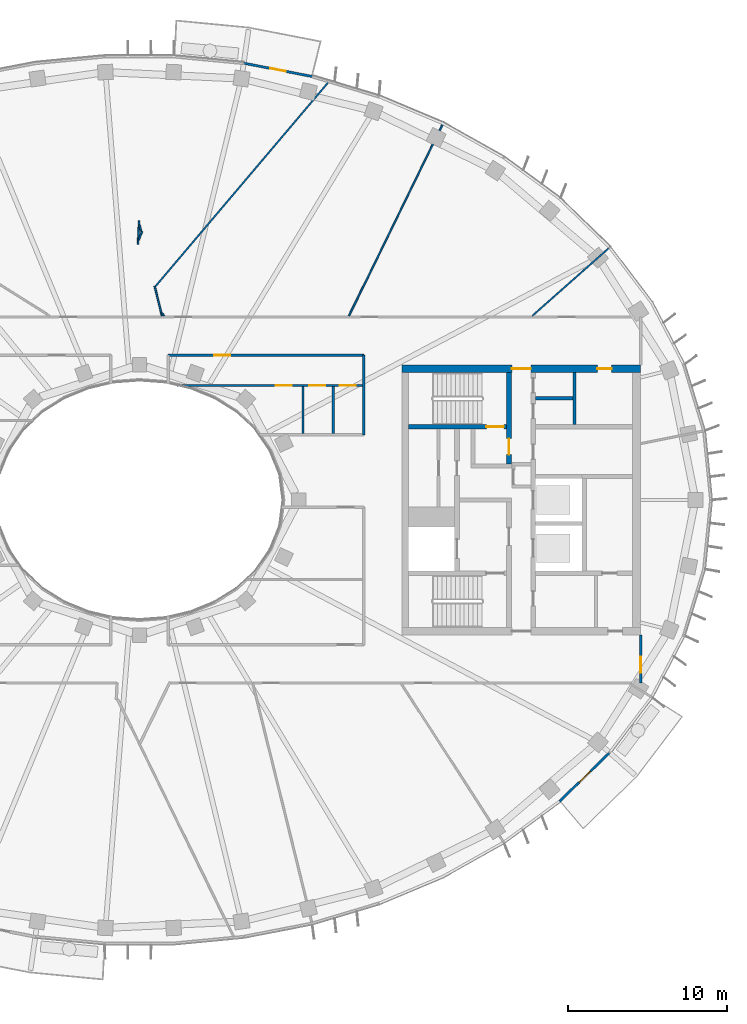
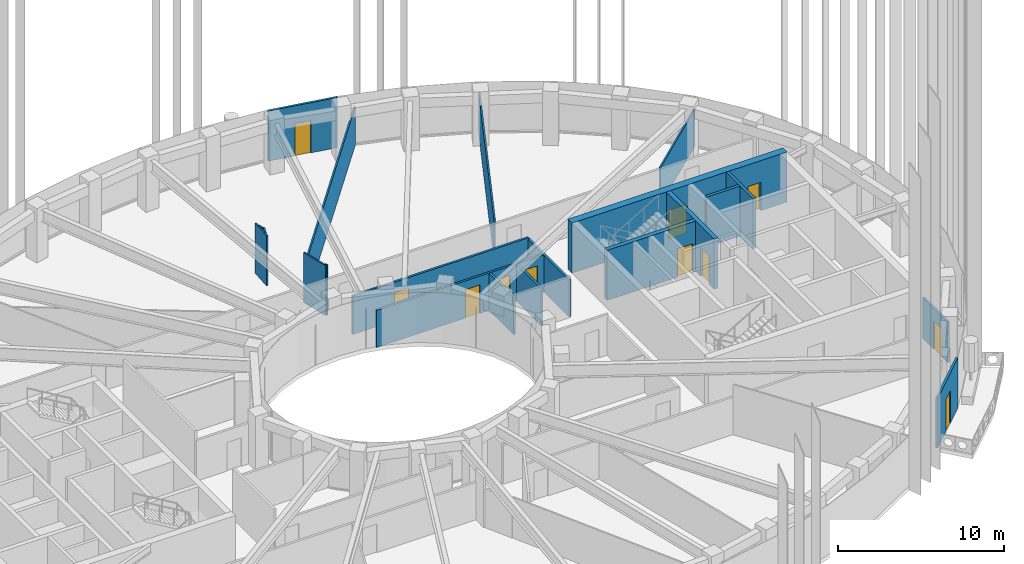
# One storey, part 6 of 17: 21 walls, 11 doors, 11 openings.
"""IFC4 building model written with IfcOpenShell, lengths in metres."""

from ifc_helpers import new_model, si_unit, direction, frame, frame_2d, origin, place, context, subcontext, project, spatial, rectangle, extrude, material, layer, layer_set, type_object, element, fill, save


model = new_model("IFC4")

# Units and contexts
model_context = context("Model", 3, precision=1e-05, world=origin(), true_north=direction((0.0, 1.0)))
body_context = subcontext(model_context, "Body", "Model", "MODEL_VIEW")
ifc_project = project(units=[si_unit("LENGTHUNIT", "METRE"), si_unit("AREAUNIT", "SQUARE_METRE"), si_unit("VOLUMEUNIT", "CUBIC_METRE"), si_unit("PLANEANGLEUNIT", "RADIAN"), si_unit("MASSUNIT", "GRAM", prefix="KILO")], contexts=[model_context])

# Site, building, storey
site_placement = place(None, origin())
site = spatial("IfcSite", under=ifc_project, at=site_placement, CompositionType="ELEMENT")
building_placement = place(site_placement, origin())
building = spatial("IfcBuilding", under=site, at=building_placement, Name="Noorbagh Ring Tower", CompositionType="ELEMENT")
storey_placement = place(building_placement, frame((0.0, 0.0, 291.0)))
storey = spatial("IfcBuildingStorey", under=building, at=storey_placement, Name="L62", CompositionType="ELEMENT", Elevation=291.0)

# Walls
ifc_material_1 = material(Name="Gypsum board on steel studs", Category="steel")
ifc_layer_1 = layer(ifc_material_1, 0.199951171875)
ifc_layer_set_1 = layer_set([ifc_layer_1], Name="Gypsum board on steel studs")
wall_type_1 = type_object("IfcWallType", Name="CORE-PARTITION-200", PredefinedType="PARTITIONING", material=ifc_layer_set_1)
wall_1_placement = place(storey_placement, frame((27.35009765625, 4.75, 0.0), z_axis=(0.0, 0.0, 1.0), x_axis=(0.0, 1.0, 0.0)))
element("IfcWall", 1, at=wall_1_placement, inside=storey, type_object=wall_type_1, Name="Core partition E", PredefinedType="PARTITIONING", context=body_context, shape_type="SweptSolid", body=[
    extrude(rectangle(XDim=3.25, YDim=0.199951171875, at=frame_2d((1.625, 0.0))), origin(), (0.0, 0.0, 1.0), 3.699951171875),
])
wall_2_placement = place(storey_placement, frame((24.89990234375, 6.39990234375, 0.0), z_axis=(0.0, 0.0, 1.0), x_axis=(1.0, 0.0, 0.0)))
element("IfcWall", 2, at=wall_2_placement, inside=storey, type_object=wall_type_1, Name="Core partition E", PredefinedType="PARTITIONING", context=body_context, shape_type="SweptSolid", body=[
    extrude(rectangle(XDim=2.35009765625, YDim=0.199951171875, at=frame_2d((1.175048828125, 0.0))), origin(), (0.0, 0.0, 1.0), 3.699951171875),
])

# Wall, opening, door
ifc_material_2 = material(Name="Concrete C50/60", Category="concrete")
ifc_layer_2 = layer(ifc_material_2, 0.300048828125)
ifc_layer_set_2 = layer_set([ifc_layer_2], Name="Concrete C50/60")
wall_type_2 = type_object("IfcWallType", Name="CORE-WALL-300-C50-60-EI240", PredefinedType="SHEAR", material=ifc_layer_set_2)
wall_3_placement = place(storey_placement, frame((23.22998046875, 2.25, 0.0), z_axis=(0.0, 0.0, 1.0), x_axis=(0.0, 1.0, 0.0)))
wall_3 = element("IfcWall", 3, at=wall_3_placement, inside=storey, type_object=wall_type_2, Name="Core wall E", PredefinedType="SHEAR", context=body_context, shape_type="SweptSolid", body=[
    extrude(rectangle(XDim=5.75, YDim=0.300048828125, at=frame_2d((2.875, 0.0))), origin(), (0.0, 0.0, 1.0), 3.699951171875),
])
opening_1_placement = place(wall_3_placement, frame((0.60009765625, 0.0, 0.0)))
opening_1 = element("IfcOpeningElement", 4, at=opening_1_placement, cuts=wall_3, Name="Opening L62-CE07", PredefinedType="OPENING", context=body_context, shape_type="SweptSolid", body=[
    extrude(rectangle(XDim=1.0, YDim=2.10009765625, at=frame_2d((0.5, 1.050048828125))), frame((0.0, 0.16015625, 0.0), z_axis=(0.0, -1.0, 0.0), x_axis=(1.0, 0.0, 0.0)), (0.0, 0.0, 1.0), 0.320068359375),
])
ifc_material_3 = material(Name="Steel door leaf", Category="steel")
door_type_1 = type_object("IfcDoorType", Name="CORE-DOOR-DVEST", OperationType="SINGLE_SWING_LEFT", PredefinedType="DOOR", material=ifc_material_3)
door_1_placement = place(opening_1_placement, origin())
door_1 = element("IfcDoor", 5, at=door_1_placement, inside=storey, type_object=door_type_1, Name="Stair vestibule door L62-CE07", OperationType="SINGLE_SWING_RIGHT", OverallHeight=2.10009765625, OverallWidth=1.0, PredefinedType="DOOR", context=body_context, shape_type="SweptSolid", body=[
    extrude(rectangle(XDim=1.0, YDim=2.10009765625, at=frame_2d((0.5, 1.050048828125))), frame((0.0, 0.02490234375, 0.0), z_axis=(0.0, -1.0, 0.0), x_axis=(1.0, 0.0, 0.0)), (0.0, 0.0, 1.0), 0.050048828125),
])
fill(opening_1, door_1)

wall_4_placement = place(storey_placement, frame((16.89990234375, 4.60009765625, 0.0), z_axis=(0.0, 0.0, 1.0), x_axis=(1.0, 0.0, 0.0)))
wall_4 = element("IfcWall", 6, at=wall_4_placement, inside=storey, type_object=wall_type_2, Name="Core wall E", PredefinedType="SHEAR", context=body_context, shape_type="SweptSolid", body=[
    extrude(rectangle(XDim=6.18017578125, YDim=0.300048828125, at=frame_2d((3.090087890625, 0.0))), origin(), (0.0, 0.0, 1.0), 3.699951171875),
])
opening_2_placement = place(wall_4_placement, frame((4.89990234375, 0.0, 0.0)))
opening_2 = element("IfcOpeningElement", 7, at=opening_2_placement, cuts=wall_4, Name="Opening L62-CE04", PredefinedType="OPENING", context=body_context, shape_type="SweptSolid", body=[
    extrude(rectangle(XDim=1.10009765625, YDim=2.10009765625, at=frame_2d((0.550048828125, 1.050048828125))), frame((0.0, 0.16015625, 0.0), z_axis=(0.0, -1.0, 0.0), x_axis=(1.0, 0.0, 0.0)), (0.0, 0.0, 1.0), 0.320068359375),
])
ifc_material_4 = material(Name="Steel door leaf", Category="steel")
door_type_2 = type_object("IfcDoorType", Name="CORE-DOOR-DSTAIR", OperationType="SINGLE_SWING_LEFT", PredefinedType="DOOR", material=ifc_material_4)
door_2_placement = place(opening_2_placement, origin())
door_2 = element("IfcDoor", 8, at=door_2_placement, inside=storey, type_object=door_type_2, Name="Stair door ST3 L62-CE04", OperationType="SINGLE_SWING_LEFT", OverallHeight=2.10009765625, OverallWidth=1.10009765625, PredefinedType="DOOR", context=body_context, shape_type="SweptSolid", body=[
    extrude(rectangle(XDim=1.10009765625, YDim=2.10009765625, at=frame_2d((0.550048828125, 1.050048828125))), frame((0.0, 0.02490234375, 0.0), z_axis=(0.0, -1.0, 0.0), x_axis=(1.0, 0.0, 0.0)), (0.0, 0.0, 1.0), 0.050048828125),
])
fill(opening_2, door_2)

# Wall, openings, doors
ifc_material_5 = material(Name="Concrete C50/60", Category="concrete")
ifc_layer_3 = layer(ifc_material_5, 0.5)
ifc_layer_set_3 = layer_set([ifc_layer_3], Name="Concrete C50/60")
wall_type_3 = type_object("IfcWallType", Name="CORE-WALL-500-C50-60-EI240", PredefinedType="SHEAR", material=ifc_layer_set_3)
wall_5_placement = place(storey_placement, frame((16.5, 8.25, 0.0), z_axis=(0.0, 0.0, 1.0), x_axis=(1.0, 0.0, 0.0)))
wall_5 = element("IfcWall", 9, at=wall_5_placement, inside=storey, type_object=wall_type_3, Name="Core wall E", PredefinedType="SHEAR", context=body_context, shape_type="SweptSolid", body=[
    extrude(rectangle(XDim=15.0, YDim=0.5, at=frame_2d((7.5, 0.0))), origin(), (0.0, 0.0, 1.0), 3.699951171875),
])
opening_3_placement = place(wall_5_placement, frame((6.89990234375, 0.0, 0.0)))
opening_3 = element("IfcOpeningElement", 10, at=opening_3_placement, cuts=wall_5, Name="Opening L62-CE08", PredefinedType="OPENING", context=body_context, shape_type="SweptSolid", body=[
    extrude(rectangle(XDim=1.199951171875, YDim=2.10009765625, at=frame_2d((0.60009765625, 1.050048828125))), frame((0.0, 0.260009765625, 0.0), z_axis=(0.0, -1.0, 0.0), x_axis=(1.0, 0.0, 0.0)), (0.0, 0.0, 1.0), 0.52001953125),
])
opening_4_placement = place(wall_5_placement, frame((12.27490234375, 0.0, 0.0)))
opening_4 = element("IfcOpeningElement", 11, at=opening_4_placement, cuts=wall_5, Name="Opening L62-CE15", PredefinedType="OPENING", context=body_context, shape_type="SweptSolid", body=[
    extrude(rectangle(XDim=0.89990234375, YDim=2.10009765625, at=frame_2d((0.449951171875, 1.050048828125))), frame((0.0, 0.260009765625, 0.0), z_axis=(0.0, -1.0, 0.0), x_axis=(1.0, 0.0, 0.0)), (0.0, 0.0, 1.0), 0.52001953125),
])
ifc_material_6 = material(Name="Steel door leaf", Category="steel")
door_type_3 = type_object("IfcDoorType", Name="CORE-DOOR-DROOM", OperationType="SINGLE_SWING_LEFT", PredefinedType="DOOR", material=ifc_material_6)
door_3_placement = place(opening_4_placement, origin())
door_3 = element("IfcDoor", 12, at=door_3_placement, inside=storey, type_object=door_type_3, Name="Core room door L62-CE15", OperationType="SINGLE_SWING_LEFT", OverallHeight=2.10009765625, OverallWidth=0.89990234375, PredefinedType="DOOR", context=body_context, shape_type="SweptSolid", body=[
    extrude(rectangle(XDim=0.89990234375, YDim=2.10009765625, at=frame_2d((0.449951171875, 1.050048828125))), frame((0.0, 0.02490234375, 0.0), z_axis=(0.0, -1.0, 0.0), x_axis=(1.0, 0.0, 0.0)), (0.0, 0.0, 1.0), 0.050048828125),
])
fill(opening_4, door_3)
ifc_material_7 = material(Name="Steel door leaf", Category="steel")
door_type_4 = type_object("IfcDoorType", Name="CORE-DOOR-PORT", OperationType="DOUBLE_DOOR_DOUBLE_SWING", PredefinedType="DOOR", material=ifc_material_7)
door_4_placement = place(opening_3_placement, origin())
door_4 = element("IfcDoor", 13, at=door_4_placement, inside=storey, type_object=door_type_4, Name="Core entrance door L62-CE08", OperationType="DOUBLE_DOOR_DOUBLE_SWING", OverallHeight=2.10009765625, OverallWidth=1.199951171875, PredefinedType="DOOR", context=body_context, shape_type="SweptSolid", body=[
    extrude(rectangle(XDim=1.199951171875, YDim=2.10009765625, at=frame_2d((0.60009765625, 1.050048828125))), frame((0.0, 0.02490234375, 0.0), z_axis=(0.0, -1.0, 0.0), x_axis=(1.0, 0.0, 0.0)), (0.0, 0.0, 1.0), 0.050048828125),
])
fill(opening_3, door_4)

# Wall, opening, door
ifc_material_8 = material(Name="Gypsum board on steel studs", Category="steel")
ifc_layer_4 = layer(ifc_material_8, 0.14990234375)
ifc_layer_set_4 = layer_set([ifc_layer_4], Name="Gypsum board on steel studs")
wall_type_4 = type_object("IfcWallType", Name="CORRIDOR PARTITION 150 EI 30", PredefinedType="PARTITIONING", material=ifc_layer_set_4)
wall_6_placement = place(storey_placement, frame((1.800048828125, 9.10009765625, 0.0), z_axis=(0.0, 0.0, 1.0), x_axis=(1.0, 0.0, 0.0)))
wall_6 = element("IfcWall", 14, at=wall_6_placement, inside=storey, type_object=wall_type_4, Name="L62/wall/P33", PredefinedType="PARTITIONING", context=body_context, shape_type="SweptSolid", body=[
    extrude(rectangle(XDim=12.300048828125, YDim=0.14990234375, at=frame_2d((6.14990234375, 0.0))), origin(), (0.0, 0.0, 1.0), 2.85009765625),
])
opening_5_placement = place(wall_6_placement, frame((2.89990234375, 0.0, 0.0)))
opening_5 = element("IfcOpeningElement", 15, at=opening_5_placement, cuts=wall_6, Name="Opening D1", PredefinedType="OPENING", context=body_context, shape_type="SweptSolid", body=[
    extrude(rectangle(XDim=1.0, YDim=2.10009765625, at=frame_2d((0.5, 1.050048828125))), frame((0.0, 0.0849609375, 0.0), z_axis=(0.0, -1.0, 0.0), x_axis=(1.0, 0.0, 0.0)), (0.0, 0.0, 1.0), 0.169921875),
])
ifc_material_9 = material(Name="Timber, painted", Category="wood")
door_type_5 = type_object("IfcDoorType", Name="DOOR 1000 X 2100 FD30", OperationType="SINGLE_SWING_LEFT", PredefinedType="DOOR", material=ifc_material_9)
door_5_placement = place(opening_5_placement, origin())
door_5 = element("IfcDoor", 16, at=door_5_placement, inside=storey, type_object=door_type_5, Name="L62-D01", OperationType="SINGLE_SWING_LEFT", OverallHeight=2.10009765625, OverallWidth=1.0, PredefinedType="DOOR", context=body_context, shape_type="SweptSolid", body=[
    extrude(rectangle(XDim=1.0, YDim=2.10009765625, at=frame_2d((0.5, 1.050048828125))), frame((0.0, 0.02490234375, 0.0), z_axis=(0.0, -1.0, 0.0), x_axis=(1.0, 0.0, 0.0)), (0.0, 0.0, 1.0), 0.050048828125),
])
fill(opening_5, door_5)

# Wall, openings, doors
wall_7_placement = place(storey_placement, frame((2.364013671875, 7.199951171875, 0.0), z_axis=(0.0, 0.0, 1.0), x_axis=(1.0, 0.0, 0.0)))
wall_7 = element("IfcWall", 17, at=wall_7_placement, inside=storey, type_object=wall_type_4, Name="L62/wall/P35", PredefinedType="PARTITIONING", context=body_context, shape_type="SweptSolid", body=[
    extrude(rectangle(XDim=11.660888671875, YDim=0.14990234375, at=frame_2d((5.83056640625, 0.0))), origin(), (0.0, 0.0, 1.0), 2.75),
])
opening_6_placement = place(wall_7_placement, frame((6.2041015625, 0.0, 0.0)))
opening_6 = element("IfcOpeningElement", 18, at=opening_6_placement, cuts=wall_7, Name="Opening D3", PredefinedType="OPENING", context=body_context, shape_type="SweptSolid", body=[
    extrude(rectangle(XDim=1.0, YDim=2.10009765625, at=frame_2d((0.5, 1.050048828125))), frame((0.0, 0.0849609375, 0.0), z_axis=(0.0, -1.0, 0.0), x_axis=(1.0, 0.0, 0.0)), (0.0, 0.0, 1.0), 0.169921875),
])
opening_7_placement = place(wall_7_placement, frame((8.30810546875, 0.0, 0.0)))
opening_7 = element("IfcOpeningElement", 19, at=opening_7_placement, cuts=wall_7, Name="Opening D3", PredefinedType="OPENING", context=body_context, shape_type="SweptSolid", body=[
    extrude(rectangle(XDim=1.0, YDim=2.10009765625, at=frame_2d((0.5, 1.050048828125))), frame((0.0, 0.0849609375, 0.0), z_axis=(0.0, -1.0, 0.0), x_axis=(1.0, 0.0, 0.0)), (0.0, 0.0, 1.0), 0.169921875),
])
opening_8_placement = place(wall_7_placement, frame((10.221923828125, 0.0, 0.0)))
opening_8 = element("IfcOpeningElement", 20, at=opening_8_placement, cuts=wall_7, Name="Opening D3", PredefinedType="OPENING", context=body_context, shape_type="SweptSolid", body=[
    extrude(rectangle(XDim=1.0, YDim=2.10009765625, at=frame_2d((0.5, 1.050048828125))), frame((0.0, 0.0849609375, 0.0), z_axis=(0.0, -1.0, 0.0), x_axis=(1.0, 0.0, 0.0)), (0.0, 0.0, 1.0), 0.169921875),
])
ifc_material_10 = material(Name="Timber, painted", Category="wood")
door_type_6 = type_object("IfcDoorType", Name="DOOR 1000 X 2100 WC", OperationType="SINGLE_SWING_LEFT", PredefinedType="DOOR", material=ifc_material_10)
door_6_placement = place(opening_6_placement, origin())
door_6 = element("IfcDoor", 21, at=door_6_placement, inside=storey, type_object=door_type_6, Name="L62-D02", OperationType="SINGLE_SWING_RIGHT", OverallHeight=2.10009765625, OverallWidth=1.0, PredefinedType="DOOR", context=body_context, shape_type="SweptSolid", body=[
    extrude(rectangle(XDim=1.0, YDim=2.10009765625, at=frame_2d((0.5, 1.050048828125))), frame((0.0, 0.02490234375, 0.0), z_axis=(0.0, -1.0, 0.0), x_axis=(1.0, 0.0, 0.0)), (0.0, 0.0, 1.0), 0.050048828125),
])
fill(opening_6, door_6)
door_7_placement = place(opening_7_placement, origin())
door_7 = element("IfcDoor", 22, at=door_7_placement, inside=storey, type_object=door_type_6, Name="L62-D03", OperationType="SINGLE_SWING_LEFT", OverallHeight=2.10009765625, OverallWidth=1.0, PredefinedType="DOOR", context=body_context, shape_type="SweptSolid", body=[
    extrude(rectangle(XDim=1.0, YDim=2.10009765625, at=frame_2d((0.5, 1.050048828125))), frame((0.0, 0.02490234375, 0.0), z_axis=(0.0, -1.0, 0.0), x_axis=(1.0, 0.0, 0.0)), (0.0, 0.0, 1.0), 0.050048828125),
])
fill(opening_7, door_7)
door_8_placement = place(opening_8_placement, origin())
door_8 = element("IfcDoor", 23, at=door_8_placement, inside=storey, type_object=door_type_6, Name="L62-D04", OperationType="SINGLE_SWING_RIGHT", OverallHeight=2.10009765625, OverallWidth=1.0, PredefinedType="DOOR", context=body_context, shape_type="SweptSolid", body=[
    extrude(rectangle(XDim=1.0, YDim=2.10009765625, at=frame_2d((0.5, 1.050048828125))), frame((0.0, 0.02490234375, 0.0), z_axis=(0.0, -1.0, 0.0), x_axis=(1.0, 0.0, 0.0)), (0.0, 0.0, 1.0), 0.050048828125),
])
fill(opening_8, door_8)

# Walls
for number, where, z_axis, x_axis, name in (
    (24, (10.27197265625, 4.169921875, 0.0), (0.0, 0.0, 1.0), (0.0, 1.0, 0.0), "L62/wall/P41"),
    (25, (12.18603515625, 4.169921875, 0.0), (0.0, 0.0, 1.0), (0.0, 1.0, 0.0), "L62/wall/P42"),
):
    element("IfcWall", number, at=place(storey_placement, frame(where, z_axis=z_axis, x_axis=x_axis)), inside=storey, type_object=wall_type_4, Name=name, PredefinedType="PARTITIONING", context=body_context, shape_type="SweptSolid", body=[
        extrude(rectangle(XDim=2.955078125, YDim=0.14990234375, at=frame_2d((1.4775390625, 0.0))), origin(), (0.0, 0.0, 1.0), 2.75),
    ])
wall_8_placement = place(storey_placement, frame((14.10009765625, 4.094970703125, 0.0), z_axis=(0.0, 0.0, 1.0), x_axis=(0.0, 1.0, 0.0)))
element("IfcWall", 26, at=wall_8_placement, inside=storey, type_object=wall_type_4, Name="L62/wall/P45", PredefinedType="PARTITIONING", context=body_context, shape_type="SweptSolid", body=[
    extrude(rectangle(XDim=5.005126953125, YDim=0.14990234375, at=frame_2d((2.50244140625, 0.0))), origin(), (0.0, 0.0, 1.0), 2.75),
])

# Wall, opening, door
wall_9_placement = place(storey_placement, frame((31.5, -11.5, 0.0), z_axis=(0.0, 0.0, 1.0), x_axis=(0.0, 1.0, 0.0)))
wall_9 = element("IfcWall", 27, at=wall_9_placement, inside=storey, type_object=wall_type_4, Name="L62/wall/P49", PredefinedType="PARTITIONING", context=body_context, shape_type="SweptSolid", body=[
    extrude(rectangle(XDim=3.0, YDim=0.14990234375, at=frame_2d((1.5, 0.0))), origin(), (0.0, 0.0, 1.0), 3.0),
])
opening_9_placement = place(wall_9_placement, frame((0.64990234375, 0.0, 0.0)))
opening_9 = element("IfcOpeningElement", 28, at=opening_9_placement, cuts=wall_9, Name="Opening D1", PredefinedType="OPENING", context=body_context, shape_type="SweptSolid", body=[
    extrude(rectangle(XDim=1.0, YDim=2.10009765625, at=frame_2d((0.5, 1.050048828125))), frame((0.0, 0.0849609375, 0.0), z_axis=(0.0, -1.0, 0.0), x_axis=(1.0, 0.0, 0.0)), (0.0, 0.0, 1.0), 0.169921875),
])
door_9_placement = place(opening_9_placement, origin())
door_9 = element("IfcDoor", 29, at=door_9_placement, inside=storey, type_object=door_type_5, Name="L62-D17", OperationType="SINGLE_SWING_LEFT", OverallHeight=2.10009765625, OverallWidth=1.0, PredefinedType="DOOR", context=body_context, shape_type="SweptSolid", body=[
    extrude(rectangle(XDim=1.0, YDim=2.10009765625, at=frame_2d((0.5, 1.050048828125))), frame((0.0, 0.02490234375, 0.0), z_axis=(0.0, -1.0, 0.0), x_axis=(1.0, 0.0, 0.0)), (0.0, 0.0, 1.0), 0.050048828125),
])
fill(opening_9, door_9)

ifc_material_11 = material(Name="Insulated aluminium clad panel", Category="aluminium")
ifc_layer_5 = layer(ifc_material_11, 0.14990234375)
ifc_layer_set_5 = layer_set([ifc_layer_5], Name="Insulated aluminium clad panel")
wall_type_5 = type_object("IfcWallType", Name="ENV-WALL-DOOR", PredefinedType="STANDARD", material=ifc_layer_set_5)
wall_10_placement = place(storey_placement, frame((10.87060546875, 26.616943359375, 0.0), z_axis=(0.0, 0.0, 1.0), x_axis=(-0.981631174778, 0.190788460615, 0.0)))
wall_10 = element("IfcWall", 30, at=wall_10_placement, inside=storey, type_object=wall_type_5, Name="Balcony door wall chord 10", PredefinedType="STANDARD", context=body_context, shape_type="SweptSolid", body=[
    extrude(rectangle(XDim=4.42626953125, YDim=0.14990234375, at=frame_2d((2.213134765625, 0.0))), origin(), (0.0, 0.0, 1.0), 3.699951171875),
])
opening_10_placement = place(wall_10_placement, frame((1.713134765625, 0.0, 0.0)))
opening_10 = element("IfcOpeningElement", 31, at=opening_10_placement, cuts=wall_10, Name="Opening D-BL", PredefinedType="OPENING", context=body_context, shape_type="SweptSolid", body=[
    extrude(rectangle(XDim=1.0, YDim=2.39990234375, at=frame_2d((0.5, 1.199951171875))), frame((0.0, 0.0849609375, 0.0), z_axis=(0.0, -1.0, 0.0), x_axis=(1.0, 0.0, 0.0)), (0.0, 0.0, 1.0), 0.169921875),
])
ifc_material_12 = material(Name="Aluminium and glass", Category="aluminium")
door_type_7 = type_object("IfcDoorType", Name="ENV-DOOR-BALCONY", OperationType="SINGLE_SWING_LEFT", PredefinedType="DOOR", material=ifc_material_12)
door_10_placement = place(opening_10_placement, origin())
door_10 = element("IfcDoor", 32, at=door_10_placement, inside=storey, type_object=door_type_7, Name="Balcony door chord 10", OperationType="SINGLE_SWING_LEFT", OverallHeight=2.39990234375, OverallWidth=1.0, PredefinedType="DOOR", context=body_context, shape_type="SweptSolid", body=[
    extrude(rectangle(XDim=1.0, YDim=2.39990234375, at=frame_2d((0.5, 1.199951171875))), frame((0.0, 0.02490234375, 0.0), z_axis=(0.0, -1.0, 0.0), x_axis=(1.0, 0.0, 0.0)), (0.0, 0.0, 1.0), 0.050048828125),
])
fill(opening_10, door_10)

wall_11_placement = place(storey_placement, frame((26.396484375, -18.943359375, 0.0), z_axis=(0.0, 0.0, 1.0), x_axis=(0.717214761864, 0.696852197647, 0.0)))
wall_11 = element("IfcWall", 33, at=wall_11_placement, inside=storey, type_object=wall_type_5, Name="Balcony door wall chord 42", PredefinedType="STANDARD", context=body_context, shape_type="SweptSolid", body=[
    extrude(rectangle(XDim=4.424072265625, YDim=0.14990234375, at=frame_2d((2.2119140625, 0.0))), origin(), (0.0, 0.0, 1.0), 3.699951171875),
])
opening_11_placement = place(wall_11_placement, frame((1.712158203125, 0.0, 0.0)))
opening_11 = element("IfcOpeningElement", 34, at=opening_11_placement, cuts=wall_11, Name="Opening D-BL", PredefinedType="OPENING", context=body_context, shape_type="SweptSolid", body=[
    extrude(rectangle(XDim=1.0, YDim=2.39990234375, at=frame_2d((0.5, 1.199951171875))), frame((0.0, 0.0849609375, 0.0), z_axis=(0.0, -1.0, 0.0), x_axis=(1.0, 0.0, 0.0)), (0.0, 0.0, 1.0), 0.169921875),
])
door_11_placement = place(opening_11_placement, origin())
door_11 = element("IfcDoor", 35, at=door_11_placement, inside=storey, type_object=door_type_7, Name="Balcony door chord 42", OperationType="SINGLE_SWING_LEFT", OverallHeight=2.39990234375, OverallWidth=1.0, PredefinedType="DOOR", context=body_context, shape_type="SweptSolid", body=[
    extrude(rectangle(XDim=1.0, YDim=2.39990234375, at=frame_2d((0.5, 1.199951171875))), frame((0.0, 0.02490234375, 0.0), z_axis=(0.0, -1.0, 0.0), x_axis=(1.0, 0.0, 0.0)), (0.0, 0.0, 1.0), 0.050048828125),
])
fill(opening_11, door_11)

# Walls
ifc_material_13 = material(Name="Gypsum board on steel studs", Category="steel")
ifc_layer_6 = layer(ifc_material_13, 0.10009765625)
ifc_layer_set_6 = layer_set([ifc_layer_6], Name="Gypsum board on steel studs")
wall_type_6 = type_object("IfcWallType", Name="PARTITION 100 GYPSUM", PredefinedType="PARTITIONING", material=ifc_layer_set_6)
wall_12_placement = place(storey_placement, frame((-0.097900390625, 16.074951171875, 0.0), z_axis=(0.0, 0.0, 1.0), x_axis=(0.048312104461, 0.998832288506, 0.0)))
element("IfcWall", 36, at=wall_12_placement, inside=storey, type_object=wall_type_6, Name="L62/wall/P23", PredefinedType="PARTITIONING", context=body_context, shape_type="SweptSolid", body=[
    extrude(rectangle(XDim=1.49072265625, YDim=0.10009765625, at=frame_2d((0.745361328125, 0.0))), origin(), (0.0, 0.0, 1.0), 3.699951171875),
])
wall_13_placement = place(storey_placement, frame((-0.041015625, 16.35205078125, 0.0), z_axis=(0.0, 0.0, 1.0), x_axis=(0.339570618506, 0.940580562763, 0.0)))
element("IfcWall", 37, at=wall_13_placement, inside=storey, type_object=wall_type_6, Name="L62/wall/P24", PredefinedType="PARTITIONING", context=body_context, shape_type="SweptSolid", body=[
    extrude(rectangle(XDim=0.568603515625, YDim=0.10009765625, at=frame_2d((0.2841796875, 0.0))), origin(), (0.0, 0.0, 1.0), 3.699951171875),
])
wall_14_placement = place(storey_placement, frame((0.0029296875, 17.281982421875, 0.0), z_axis=(0.0, 0.0, 1.0), x_axis=(0.238966259399, -0.971027871314, 0.0)))
element("IfcWall", 38, at=wall_14_placement, inside=storey, type_object=wall_type_6, Name="L62/wall/P25", PredefinedType="PARTITIONING", context=body_context, shape_type="SweptSolid", body=[
    extrude(rectangle(XDim=0.402587890625, YDim=0.10009765625, at=frame_2d((0.201171875, 0.0))), origin(), (0.0, 0.0, 1.0), 3.699951171875),
])
wall_15_placement = place(storey_placement, frame((0.949951171875, 13.447998046875, 0.0), z_axis=(0.0, 0.0, 1.0), x_axis=(0.239556864004, -0.970882335254, 0.0)))
element("IfcWall", 39, at=wall_15_placement, inside=storey, type_object=wall_type_6, Name="L62/wall/P27", PredefinedType="PARTITIONING", context=body_context, shape_type="SweptSolid", body=[
    extrude(rectangle(XDim=1.92919921875, YDim=0.10009765625, at=frame_2d((0.964599609375, 0.0))), origin(), (0.0, 0.0, 1.0), 3.699951171875),
])
wall_16_placement = place(storey_placement, frame((1.0048828125, 13.43505859375, 0.0), z_axis=(0.0, 0.0, 1.0), x_axis=(0.646459104718, 0.762948639115, 0.0)))
element("IfcWall", 40, at=wall_16_placement, inside=storey, type_object=wall_type_6, Name="L62/wall/P28", PredefinedType="PARTITIONING", context=body_context, shape_type="SweptSolid", body=[
    extrude(rectangle(XDim=16.892333984375, YDim=0.10009765625, at=frame_2d((8.4462890625, 0.0))), origin(), (0.0, 0.0, 1.0), 2.85009765625),
])
wall_17_placement = place(storey_placement, frame((1.416015625, 11.7529296875, 0.0), z_axis=(0.0, 0.0, 1.0), x_axis=(0.542473755858, -0.840072749353, 0.0)))
element("IfcWall", 41, at=wall_17_placement, inside=storey, type_object=wall_type_6, Name="L62/wall/P29", PredefinedType="PARTITIONING", context=body_context, shape_type="SweptSolid", body=[
    extrude(rectangle(XDim=0.208251953125, YDim=0.10009765625, at=frame_2d((0.10400390625, 0.0))), origin(), (0.0, 0.0, 1.0), 3.699951171875),
])
wall_18_placement = place(storey_placement, frame((13.1669921875, 11.5791015625, 0.0), z_axis=(0.0, 0.0, 1.0), x_axis=(0.439238726833, 0.898370380661, 0.0)))
element("IfcWall", 42, at=wall_18_placement, inside=storey, type_object=wall_type_6, Name="L62/wall/P43", PredefinedType="PARTITIONING", context=body_context, shape_type="SweptSolid", body=[
    extrude(rectangle(XDim=13.475341796875, YDim=0.10009765625, at=frame_2d((6.73779296875, 0.0))), origin(), (0.0, 0.0, 1.0), 3.0),
])
wall_19_placement = place(storey_placement, frame((24.68896484375, 11.577880859375, 0.0), z_axis=(0.0, 0.0, 1.0), x_axis=(0.748988695283, 0.662582775461, 0.0)))
element("IfcWall", 43, at=wall_19_placement, inside=storey, type_object=wall_type_6, Name="L62/wall/P47", PredefinedType="PARTITIONING", context=body_context, shape_type="SweptSolid", body=[
    extrude(rectangle(XDim=6.515625, YDim=0.10009765625, at=frame_2d((3.2578125, 0.0))), origin(), (0.0, 0.0, 1.0), 2.75),
])

save(model, "model.ifc")
